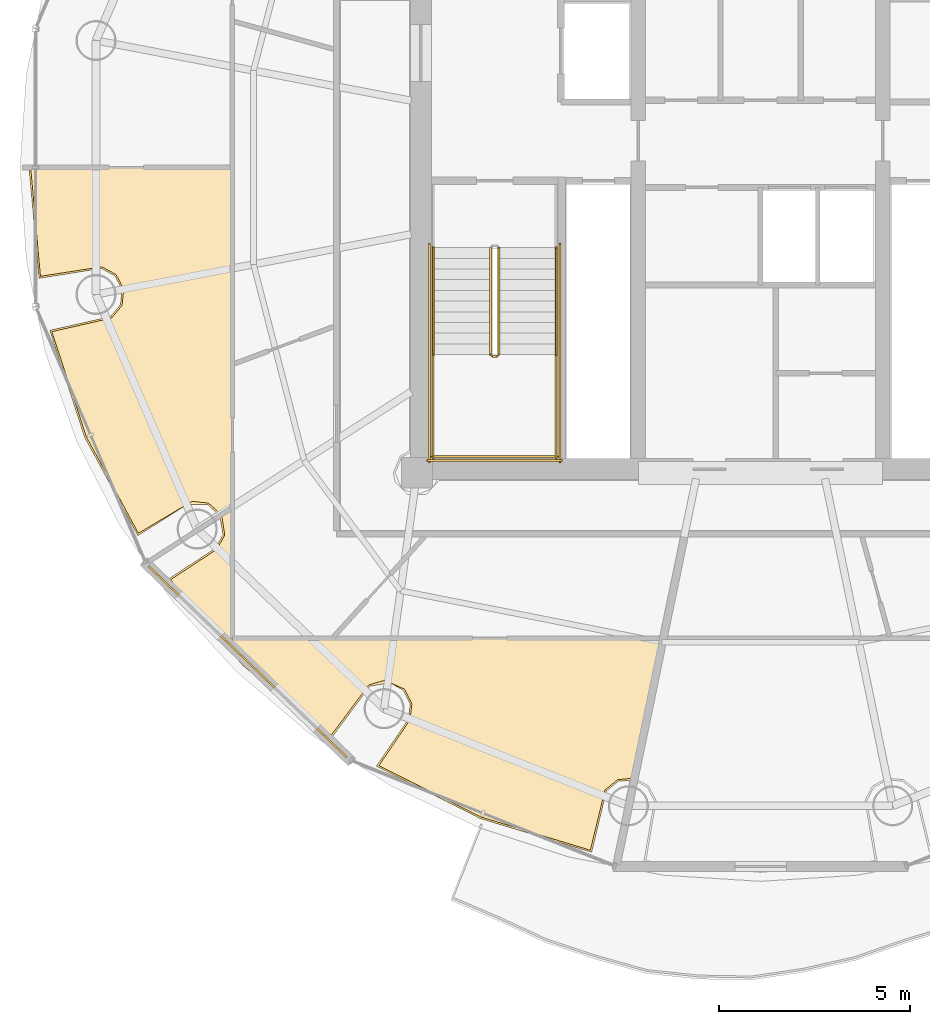
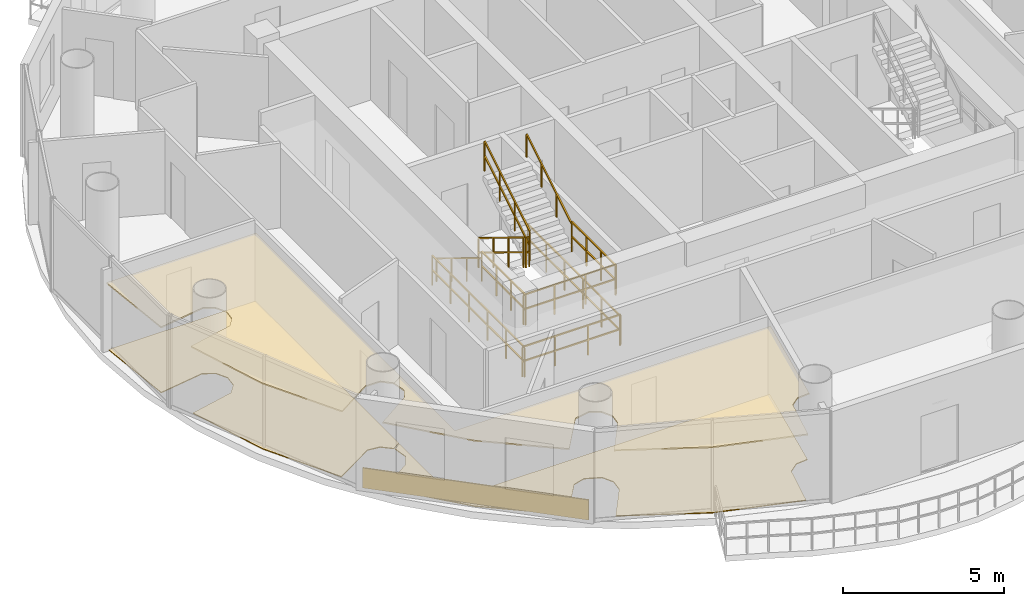
# One storey, part 18 of 21: 11 railings, 5 coverings.
"""IFC4 building model written with IfcOpenShell, lengths in metres."""

from ifc_helpers import new_model, si_unit, direction, frame, origin, origin_2d, place, context, subcontext, project, spatial, polyline, rectangle, outline, extrude, source, transform, mapped, material, layer, layer_set, type_object, element, save


model = new_model("IFC4")

# Units and contexts
model_context = context("Model", 3, precision=1e-05, world=origin(), true_north=direction((-0.2419218956, 0.970295726276)))
body_context = subcontext(model_context, "Body", "Model", "MODEL_VIEW")
ifc_project = project(units=[si_unit("LENGTHUNIT", "METRE"), si_unit("AREAUNIT", "SQUARE_METRE"), si_unit("VOLUMEUNIT", "CUBIC_METRE"), si_unit("PLANEANGLEUNIT", "RADIAN"), si_unit("MASSUNIT", "GRAM", prefix="KILO")], contexts=[model_context])

# Site, building, storey
site_placement = place(None, origin())
site = spatial("IfcSite", under=ifc_project, at=site_placement, CompositionType="ELEMENT")
building_placement = place(site_placement, origin())
building = spatial("IfcBuilding", under=site, at=building_placement, Name="Cobrevalo Terracotta Tower", CompositionType="ELEMENT")
storey_placement = place(building_placement, frame((0.0, 0.0, 285.699951171875)))
storey = spatial("IfcBuildingStorey", under=building, at=storey_placement, Name="L75", CompositionType="ELEMENT", Elevation=285.699951171875)

# Coverings
ifc_material_1 = material(Name="Engineered Brazilian hardwood flooring", Category="wood")
ifc_layer_1 = layer(ifc_material_1, 0.028076171875)
ifc_layer_set_1 = layer_set([ifc_layer_1], Name="Engineered Brazilian hardwood flooring")
covering_type_1 = type_object("IfcCoveringType", Name="Engineered Hardwood Suite Flooring 28", PredefinedType="FLOORING", material=ifc_layer_set_1)
covering_1_placement = place(storey_placement, origin())
element("IfcCovering", 1, at=covering_1_placement, inside=storey, type_object=covering_type_1, Name="Flat L75A Penthouse Family Lounge floor finish", PredefinedType="FLOORING", context=body_context, shape_type="SweptSolid", body=[
    extrude(outline(polyline([(20.33544921875, 19.751220703125), (19.43505859375, 22.49951171875), (20.99755859375, 22.855224609375), (21.272705078125, 23.185302734375), (21.318115234375, 23.612548828125), (21.118408203125, 23.9931640625), (20.740966796875, 24.198486328125), (19.1357421875, 23.948974609375), (18.88134765625, 26.780029296875), (24.14501953125, 26.780029296875), (24.14501953125, 17.900146484375), (23.864501953125, 17.719482421875), (23.537109375, 18.005859375), (23.1103515625, 18.055908203125), (21.699951171875, 17.217529296875), (20.33544921875, 19.751220703125)])), origin(), (0.0, 0.0, 1.0), 0.030029296875),
])
covering_2_placement = place(storey_placement, origin())
element("IfcCovering", 2, at=covering_2_placement, inside=storey, type_object=covering_type_1, Name="Flat L75A Private Cinema Room floor finish", PredefinedType="FLOORING", context=body_context, shape_type="SweptSolid", body=[
    extrude(outline(polyline([(28.00146484375, 11.130126953125), (28.81689453125, 12.327392578125), (28.8671875, 12.754150390625), (28.671630859375, 13.136962890625), (28.152587890625, 13.363525390625), (27.739013671875, 13.246337890625), (26.756103515625, 11.931884765625), (24.47998046875, 13.775390625), (22.5439453125, 16.00048828125), (23.7548828125, 16.794677734375), (23.964599609375, 17.169677734375), (23.885498046875, 17.685546875), (24.14501953125, 17.8525390625), (24.14501953125, 14.445068359375), (35.429931640625, 14.445068359375), (34.678466796875, 10.80322265625), (34.25927734375, 10.763671875), (33.925048828125, 10.49365234375), (33.54052734375, 8.9140625), (30.682861328125, 9.7822265625), (28.00146484375, 11.130126953125)])), origin(), (0.0, 0.0, 1.0), 0.030029296875),
])
ifc_material_2 = material(Name="Acoustic perforated gypsum ceiling", Category="gypsum")
ifc_layer_2 = layer(ifc_material_2, 0.050048828125)
ifc_layer_set_2 = layer_set([ifc_layer_2], Name="Acoustic perforated gypsum ceiling")
covering_type_2 = type_object("IfcCoveringType", Name="Perforated Acoustic Gypsum Ceiling 50", PredefinedType="CEILING", material=ifc_layer_set_2)
covering_3_placement = place(storey_placement, frame((0.0, 0.0, 2.5)))
element("IfcCovering", 3, at=covering_3_placement, inside=storey, type_object=covering_type_2, Name="Flat L75A Penthouse Family Lounge acoustic ceiling", PredefinedType="CEILING", context=body_context, shape_type="SweptSolid", body=[
    extrude(outline(polyline([(20.2939453125, 19.7333984375), (19.3818359375, 22.53515625), (20.97265625, 22.89306640625), (21.23095703125, 23.202880859375), (21.273681640625, 23.60400390625), (21.086181640625, 23.96142578125), (20.731689453125, 24.154296875), (19.100830078125, 23.896484375), (18.833251953125, 26.824951171875), (24.18994140625, 26.824951171875), (24.18994140625, 17.875732421875), (23.853271484375, 17.658935546875), (23.51904296875, 17.964599609375), (22.9873046875, 17.974365234375), (21.687744140625, 17.15625), (20.2939453125, 19.7333984375)])), origin(), (0.0, 0.0, 1.0), 0.050048828125),
])
covering_4_placement = place(storey_placement, frame((0.0, 0.0, 2.5)))
element("IfcCovering", 4, at=covering_4_placement, inside=storey, type_object=covering_type_2, Name="Flat L75A Private Cinema Room acoustic ceiling", PredefinedType="CEILING", context=body_context, shape_type="SweptSolid", body=[
    extrude(outline(polyline([(27.937744140625, 11.11767578125), (28.775634765625, 12.345458984375), (28.822509765625, 12.746337890625), (28.63916015625, 13.10546875), (28.286865234375, 13.30224609375), (27.763427734375, 13.208251953125), (26.768310546875, 11.87060546875), (24.448486328125, 13.742919921875), (22.48046875, 16.01318359375), (23.7236328125, 16.8271484375), (23.92041015625, 17.179443359375), (23.826904296875, 17.701416015625), (24.18994140625, 17.93505859375), (24.18994140625, 14.489990234375), (35.4853515625, 14.489990234375), (34.71435546875, 10.754150390625), (34.2763671875, 10.7216796875), (33.96240234375, 10.46826171875), (33.575439453125, 8.861328125), (30.666259765625, 9.740478515625), (27.937744140625, 11.11767578125)])), origin(), (0.0, 0.0, 1.0), 0.050048828125),
])

# Railings
ifc_material_3 = material(Name="Brushed stainless steel", Category="steel")
railing_type_1 = type_object("IfcRailingType", Name="Stainless Steel Stair Handrail 900", PredefinedType="HANDRAIL", material=ifc_material_3)
railing_1_placement = place(storey_placement, frame((29.425048828125, 24.699951171875, 0.17041015625)))
element("IfcRailing", 5, at=railing_1_placement, inside=storey, type_object=railing_type_1, Name="L75 ST-1 stair handrail 1", PredefinedType="HANDRAIL", context=body_context, shape_type="SweptSolid", body=[
    extrude(rectangle(XDim=0.048095703125, YDim=0.048095703125, at=origin_2d()), frame((0.0, 0.0, 0.8759765625), z_axis=(0.0, -0.854169791009, 0.51999420009), x_axis=(1.0, 0.0, 0.0)), (0.0, 0.0, 1.0), 3.278076171875),
    extrude(rectangle(XDim=0.0419921875, YDim=0.0419921875, at=origin_2d()), origin(), (0.0, 0.0, 1.0), 0.851806640625),
    extrude(rectangle(XDim=0.0419921875, YDim=0.0419921875, at=origin_2d()), frame((0.0, -0.933349609375, 0.568115234375)), (0.0, 0.0, 1.0), 0.851806640625),
    extrude(rectangle(XDim=0.0419921875, YDim=0.0419921875, at=origin_2d()), frame((0.0, -1.86669921875, 1.136474609375)), (0.0, 0.0, 1.0), 0.851806640625),
    extrude(rectangle(XDim=0.0419921875, YDim=0.0419921875, at=origin_2d()), frame((0.0, -2.800048828125, 1.70458984375)), (0.0, 0.0, 1.0), 0.851806640625),
])
railing_2_placement = place(storey_placement, frame((32.64501953125, 21.89990234375, 2.04541015625)))
element("IfcRailing", 6, at=railing_2_placement, inside=storey, type_object=railing_type_1, Name="L75 ST-1 stair handrail 2", PredefinedType="HANDRAIL", context=body_context, shape_type="SweptSolid", body=[
    extrude(rectangle(XDim=0.048095703125, YDim=0.048095703125, at=origin_2d()), frame((0.0, 0.0, 0.8759765625), z_axis=(0.0, 0.854169791009, 0.51999420009), x_axis=(-1.0, 0.0, 0.0)), (0.0, 0.0, 1.0), 3.278076171875),
    extrude(rectangle(XDim=0.0419921875, YDim=0.0419921875, at=origin_2d()), origin(), (0.0, 0.0, 1.0), 0.851806640625),
    extrude(rectangle(XDim=0.0419921875, YDim=0.0419921875, at=origin_2d()), frame((0.0, 0.933349609375, 0.568115234375)), (0.0, 0.0, 1.0), 0.851806640625),
    extrude(rectangle(XDim=0.0419921875, YDim=0.0419921875, at=origin_2d()), frame((0.0, 1.86669921875, 1.136474609375)), (0.0, 0.0, 1.0), 0.851806640625),
    extrude(rectangle(XDim=0.0419921875, YDim=0.0419921875, at=origin_2d()), frame((0.0, 2.800048828125, 1.70458984375)), (0.0, 0.0, 1.0), 0.851806640625),
])
ifc_material_4 = material(Name="Painted galvanized steel", Category="steel")
railing_type_2 = type_object("IfcRailingType", Name="Stair Well Guard Balustrade 1150", PredefinedType="GUARDRAIL", material=ifc_material_4)
railing_3_placement = place(storey_placement, frame((30.925048828125, 24.699951171875, 0.17041015625)))
element("IfcRailing", 7, at=railing_3_placement, inside=storey, type_object=railing_type_2, Name="L75 ST-1 stair guard 1", PredefinedType="GUARDRAIL", context=body_context, shape_type="SweptSolid", body=[
    extrude(rectangle(XDim=0.048095703125, YDim=0.048095703125, at=origin_2d()), frame((0.0, 0.0, 1.1259765625), z_axis=(0.0, -0.854169791009, 0.51999420009), x_axis=(1.0, 0.0, 0.0)), (0.0, 0.0, 1.0), 3.278076171875),
    extrude(rectangle(XDim=0.048095703125, YDim=0.048095703125, at=origin_2d()), frame((0.0, 0.0, 0.574951171875), z_axis=(0.0, -0.854169791009, 0.51999420009), x_axis=(1.0, 0.0, 0.0)), (0.0, 0.0, 1.0), 3.278076171875),
    extrude(rectangle(XDim=0.0419921875, YDim=0.0419921875, at=origin_2d()), origin(), (0.0, 0.0, 1.0), 1.101806640625),
    extrude(rectangle(XDim=0.0419921875, YDim=0.0419921875, at=origin_2d()), frame((0.0, -0.933349609375, 0.568115234375)), (0.0, 0.0, 1.0), 1.101806640625),
    extrude(rectangle(XDim=0.0419921875, YDim=0.0419921875, at=origin_2d()), frame((0.0, -1.86669921875, 1.136474609375)), (0.0, 0.0, 1.0), 1.101806640625),
    extrude(rectangle(XDim=0.0419921875, YDim=0.0419921875, at=origin_2d()), frame((0.0, -2.800048828125, 1.70458984375)), (0.0, 0.0, 1.0), 1.101806640625),
])
railing_4_placement = place(storey_placement, frame((30.97509765625, 21.85009765625, 1.875)))
element("IfcRailing", 8, at=railing_4_placement, inside=storey, type_object=railing_type_2, Name="L75 ST-1 stair guard 2", PredefinedType="GUARDRAIL", context=body_context, shape_type="SweptSolid", body=[
    extrude(rectangle(XDim=0.048095703125, YDim=0.048095703125, at=origin_2d()), frame((0.0, 0.0, 1.1259765625), z_axis=(1.0, 0.0, 0.0), x_axis=(0.0, 1.0, 0.0)), (0.0, 0.0, 1.0), 0.119873046875),
    extrude(rectangle(XDim=0.048095703125, YDim=0.048095703125, at=origin_2d()), frame((0.0, 0.0, 0.574951171875), z_axis=(1.0, 0.0, 0.0), x_axis=(0.0, 1.0, 0.0)), (0.0, 0.0, 1.0), 0.119873046875),
    extrude(rectangle(XDim=0.0419921875, YDim=0.0419921875, at=origin_2d()), origin(), (0.0, 0.0, 1.0), 1.101806640625),
    extrude(rectangle(XDim=0.0419921875, YDim=0.0419921875, at=origin_2d()), frame((0.119873046875, 0.0, 0.0)), (0.0, 0.0, 1.0), 1.101806640625),
])
for number, where, name in (
    (9, (29.425048828125, 21.89990234375, 1.875), "L75 ST-1 stair guard 3"),
    (10, (32.64501953125, 21.89990234375, 1.875), "L75 ST-1 stair guard 4"),
):
    element("IfcRailing", number, at=place(storey_placement, frame(where)), inside=storey, type_object=railing_type_2, Name=name, PredefinedType="GUARDRAIL", context=body_context, shape_type="SweptSolid", body=[
        extrude(rectangle(XDim=0.048095703125, YDim=0.048095703125, at=origin_2d()), frame((0.0, 0.0, 1.1259765625), z_axis=(0.0, -1.0, 0.0), x_axis=(1.0, 0.0, 0.0)), (0.0, 0.0, 1.0), 2.724853515625),
        extrude(rectangle(XDim=0.048095703125, YDim=0.048095703125, at=origin_2d()), frame((0.0, 0.0, 0.574951171875), z_axis=(0.0, -1.0, 0.0), x_axis=(1.0, 0.0, 0.0)), (0.0, 0.0, 1.0), 2.724853515625),
        extrude(rectangle(XDim=0.0419921875, YDim=0.0419921875, at=origin_2d()), origin(), (0.0, 0.0, 1.0), 1.101806640625),
        extrude(rectangle(XDim=0.0419921875, YDim=0.0419921875, at=origin_2d()), frame((0.0, -0.908203125, 0.0)), (0.0, 0.0, 1.0), 1.101806640625),
        extrude(rectangle(XDim=0.0419921875, YDim=0.0419921875, at=origin_2d()), frame((0.0, -1.816650390625, 0.0)), (0.0, 0.0, 1.0), 1.101806640625),
        extrude(rectangle(XDim=0.0419921875, YDim=0.0419921875, at=origin_2d()), frame((0.0, -2.724853515625, 0.0)), (0.0, 0.0, 1.0), 1.101806640625),
    ])
railing_5_placement = place(storey_placement, frame((29.375, 19.22509765625, 1.875)))
element("IfcRailing", 11, at=railing_5_placement, inside=storey, type_object=railing_type_2, Name="L75 ST-1 stair guard 5", PredefinedType="GUARDRAIL", context=body_context, shape_type="SweptSolid", body=[
    extrude(rectangle(XDim=0.048095703125, YDim=0.048095703125, at=origin_2d()), frame((0.0, 0.0, 1.1259765625), z_axis=(1.0, 0.0, 0.0), x_axis=(0.0, 1.0, 0.0)), (0.0, 0.0, 1.0), 3.320068359375),
    extrude(rectangle(XDim=0.048095703125, YDim=0.048095703125, at=origin_2d()), frame((0.0, 0.0, 0.574951171875), z_axis=(1.0, 0.0, 0.0), x_axis=(0.0, 1.0, 0.0)), (0.0, 0.0, 1.0), 3.320068359375),
    extrude(rectangle(XDim=0.0419921875, YDim=0.0419921875, at=origin_2d()), origin(), (0.0, 0.0, 1.0), 1.101806640625),
    extrude(rectangle(XDim=0.0419921875, YDim=0.0419921875, at=origin_2d()), frame((1.106689453125, 0.0, 0.0)), (0.0, 0.0, 1.0), 1.101806640625),
    extrude(rectangle(XDim=0.0419921875, YDim=0.0419921875, at=origin_2d()), frame((2.21337890625, 0.0, 0.0)), (0.0, 0.0, 1.0), 1.101806640625),
    extrude(rectangle(XDim=0.0419921875, YDim=0.0419921875, at=origin_2d()), frame((3.320068359375, 0.0, 0.0)), (0.0, 0.0, 1.0), 1.101806640625),
])
railing_6_placement = place(storey_placement, frame((31.14501953125, 21.89990234375, 2.04541015625)))
element("IfcRailing", 12, at=railing_6_placement, inside=storey, type_object=railing_type_2, Name="L75 ST-1 stair guard 6", PredefinedType="GUARDRAIL", context=body_context, shape_type="SweptSolid", body=[
    extrude(rectangle(XDim=0.048095703125, YDim=0.048095703125, at=origin_2d()), frame((0.0, 0.0, 1.1259765625), z_axis=(0.0, 0.854169791009, 0.51999420009), x_axis=(-1.0, 0.0, 0.0)), (0.0, 0.0, 1.0), 3.278076171875),
    extrude(rectangle(XDim=0.048095703125, YDim=0.048095703125, at=origin_2d()), frame((0.0, 0.0, 0.574951171875), z_axis=(0.0, 0.854169791009, 0.51999420009), x_axis=(-1.0, 0.0, 0.0)), (0.0, 0.0, 1.0), 3.278076171875),
    extrude(rectangle(XDim=0.0419921875, YDim=0.0419921875, at=origin_2d()), origin(), (0.0, 0.0, 1.0), 1.101806640625),
    extrude(rectangle(XDim=0.0419921875, YDim=0.0419921875, at=origin_2d()), frame((0.0, 0.933349609375, 0.568115234375)), (0.0, 0.0, 1.0), 1.101806640625),
    extrude(rectangle(XDim=0.0419921875, YDim=0.0419921875, at=origin_2d()), frame((0.0, 1.86669921875, 1.136474609375)), (0.0, 0.0, 1.0), 1.101806640625),
    extrude(rectangle(XDim=0.0419921875, YDim=0.0419921875, at=origin_2d()), frame((0.0, 2.800048828125, 1.70458984375)), (0.0, 0.0, 1.0), 1.101806640625),
])
for number, where, name in (
    (13, (29.324951171875, 24.800048828125, 0.0), "L75 ST-1 stair guard 10"),
    (14, (32.7451171875, 24.800048828125, 0.0), "L75 ST-1 stair guard 11"),
):
    element("IfcRailing", number, at=place(storey_placement, frame(where)), inside=storey, type_object=railing_type_2, Name=name, PredefinedType="GUARDRAIL", context=body_context, shape_type="SweptSolid", body=[
        extrude(rectangle(XDim=0.048095703125, YDim=0.048095703125, at=origin_2d()), frame((0.0, 0.0, 1.1259765625), z_axis=(0.0, -1.0, 0.0), x_axis=(1.0, 0.0, 0.0)), (0.0, 0.0, 1.0), 5.72509765625),
        extrude(rectangle(XDim=0.048095703125, YDim=0.048095703125, at=origin_2d()), frame((0.0, 0.0, 0.574951171875), z_axis=(0.0, -1.0, 0.0), x_axis=(1.0, 0.0, 0.0)), (0.0, 0.0, 1.0), 5.72509765625),
        extrude(rectangle(XDim=0.0419921875, YDim=0.0419921875, at=origin_2d()), origin(), (0.0, 0.0, 1.0), 1.101806640625),
        extrude(rectangle(XDim=0.0419921875, YDim=0.0419921875, at=origin_2d()), frame((0.0, -1.14501953125, 0.0)), (0.0, 0.0, 1.0), 1.101806640625),
        extrude(rectangle(XDim=0.0419921875, YDim=0.0419921875, at=origin_2d()), frame((0.0, -2.2900390625, 0.0)), (0.0, 0.0, 1.0), 1.101806640625),
        extrude(rectangle(XDim=0.0419921875, YDim=0.0419921875, at=origin_2d()), frame((0.0, -3.43505859375, 0.0)), (0.0, 0.0, 1.0), 1.101806640625),
        extrude(rectangle(XDim=0.0419921875, YDim=0.0419921875, at=origin_2d()), frame((0.0, -4.580078125, 0.0)), (0.0, 0.0, 1.0), 1.101806640625),
        extrude(rectangle(XDim=0.0419921875, YDim=0.0419921875, at=origin_2d()), frame((0.0, -5.72509765625, 0.0)), (0.0, 0.0, 1.0), 1.101806640625),
    ])
railing_7_placement = place(storey_placement, frame((29.27490234375, 19.125, 0.0)))
element("IfcRailing", 15, at=railing_7_placement, inside=storey, type_object=railing_type_2, Name="L75 ST-1 stair guard 12", PredefinedType="GUARDRAIL", context=body_context, shape_type="SweptSolid", body=[
    extrude(rectangle(XDim=0.048095703125, YDim=0.048095703125, at=origin_2d()), frame((0.0, 0.0, 1.1259765625), z_axis=(1.0, 0.0, 0.0), x_axis=(0.0, 1.0, 0.0)), (0.0, 0.0, 1.0), 3.52001953125),
    extrude(rectangle(XDim=0.048095703125, YDim=0.048095703125, at=origin_2d()), frame((0.0, 0.0, 0.574951171875), z_axis=(1.0, 0.0, 0.0), x_axis=(0.0, 1.0, 0.0)), (0.0, 0.0, 1.0), 3.52001953125),
    extrude(rectangle(XDim=0.0419921875, YDim=0.0419921875, at=origin_2d()), origin(), (0.0, 0.0, 1.0), 1.101806640625),
    extrude(rectangle(XDim=0.0419921875, YDim=0.0419921875, at=origin_2d()), frame((1.17333984375, 0.0, 0.0)), (0.0, 0.0, 1.0), 1.101806640625),
    extrude(rectangle(XDim=0.0419921875, YDim=0.0419921875, at=origin_2d()), frame((2.3466796875, 0.0, 0.0)), (0.0, 0.0, 1.0), 1.101806640625),
    extrude(rectangle(XDim=0.0419921875, YDim=0.0419921875, at=origin_2d()), frame((3.52001953125, 0.0, 0.0)), (0.0, 0.0, 1.0), 1.101806640625),
])

# Covering
ifc_material_5 = material(Name="Glazed terracotta facade cladding tile", Category="masonry")
ifc_layer_3 = layer(ifc_material_5, 0.044921875)
ifc_layer_set_3 = layer_set([ifc_layer_3], Name="Glazed terracotta facade cladding tile")
covering_type_3 = type_object("IfcCoveringType", Name="Architectural terracotta rainscreen spandrel cladding 45 mm", PredefinedType="CLADDING", material=ifc_layer_set_3)
shared_shape = source(origin(), body_context, "Body", "SweptSolid", [
    extrude(rectangle(XDim=7.222412109375, YDim=0.044921875, at=origin_2d()), origin(), (0.0, 0.0, 1.0), 0.760009765625),
])
covering_5_placement = place(storey_placement, frame((24.56640625, 13.85205078125, 0.0400390625), z_axis=(0.0, 0.0, 1.0), x_axis=(0.719996603293, -0.693977586992, 0.0)))
element("IfcCovering", 16, at=covering_5_placement, inside=storey, type_object=covering_type_3, Name="L75 terracotta spandrel cladding S10", PredefinedType="CLADDING", context=body_context, shape_type="MappedRepresentation", body=[
    mapped(shared_shape, transform((0.0, 0.0, 0.0), scale=1.0)),
])

save(model, "model.ifc")
